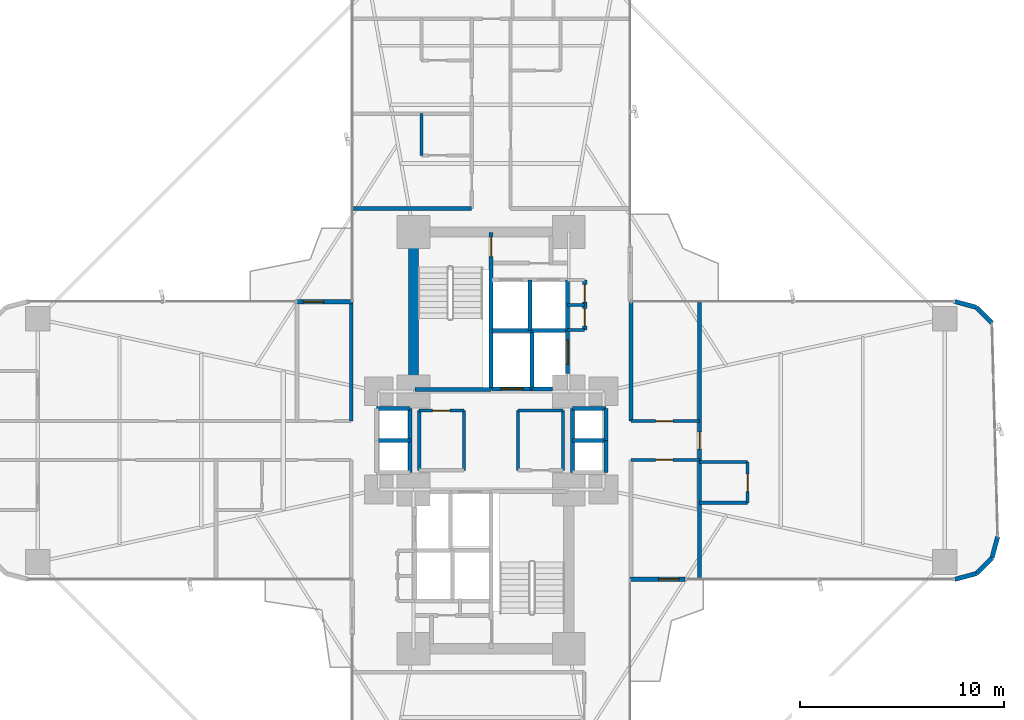
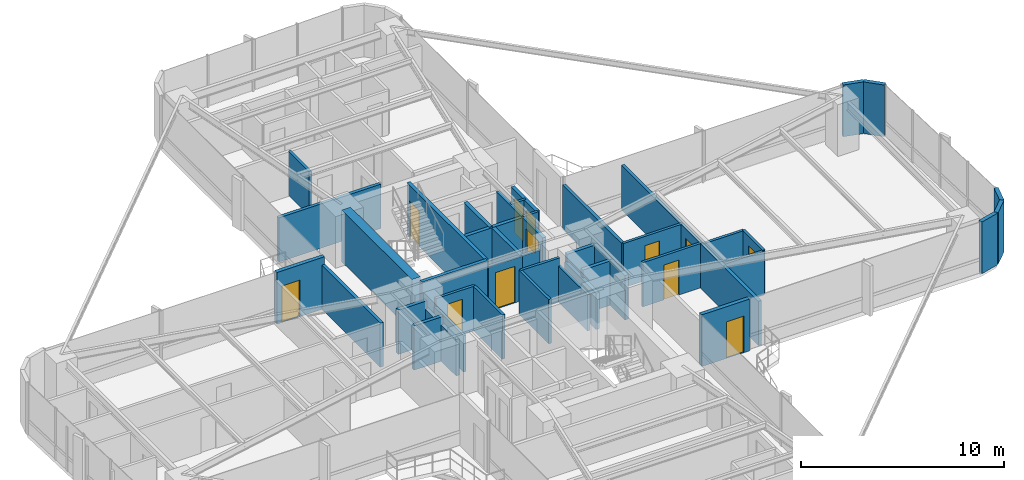
# One storey, part 23 of 26: 44 walls, 12 doors, 12 openings.
"""IFC4 building model written with IfcOpenShell, lengths in metres."""

from ifc_helpers import new_model, si_unit, direction, frame, frame_2d, origin, origin_2d, place, context, subcontext, project, spatial, rectangle, extrude, source, transform, mapped, material, layer, layer_set, type_object, element, fill, save


model = new_model("IFC4")

# Units and contexts
model_context = context("Model", 3, precision=1e-05, world=origin(), true_north=direction((0.0, 1.0)))
body_context = subcontext(model_context, "Body", "Model", "MODEL_VIEW")
ifc_project = project(units=[si_unit("LENGTHUNIT", "METRE"), si_unit("AREAUNIT", "SQUARE_METRE"), si_unit("VOLUMEUNIT", "CUBIC_METRE"), si_unit("PLANEANGLEUNIT", "RADIAN"), si_unit("MASSUNIT", "GRAM", prefix="KILO")], contexts=[model_context])

# Site, building, storey
site_placement = place(None, origin())
site = spatial("IfcSite", under=ifc_project, at=site_placement, CompositionType="ELEMENT")
building_placement = place(site_placement, origin())
building = spatial("IfcBuilding", under=site, at=building_placement, Name="Sahyath Konkavel Grand Hotel", CompositionType="ELEMENT")
storey_placement = place(building_placement, frame((0.0, 0.0, 29.800048828125)))
storey = spatial("IfcBuildingStorey", under=building, at=storey_placement, Name="L07", CompositionType="ELEMENT", Elevation=29.800048828125)

# Wall
ifc_material_1 = material(Name="Concrete C70/85", Category="concrete")
ifc_layer_1 = layer(ifc_material_1, 0.5)
ifc_layer_set_1 = layer_set([ifc_layer_1], Name="Concrete C70/85")
wall_type_1 = type_object("IfcWallType", Name="CWALL-500", PredefinedType="SHEAR", material=ifc_layer_set_1)
wall_1_placement = place(storey_placement, frame((-3.800048828125, 2.85009765625, 0.0), z_axis=(0.0, 0.0, 1.0), x_axis=(0.0, 1.0, 0.0)))
element("IfcWall", 1, at=wall_1_placement, inside=storey, type_object=wall_type_1, Name="L07 North Core Shear Wall W", PredefinedType="SHEAR", context=body_context, shape_type="SweptSolid", body=[
    extrude(rectangle(XDim=6.89990234375, YDim=0.5, at=frame_2d((3.449951171875, 0.0))), origin(), (0.0, 0.0, 1.0), 3.10986328125),
])

# Wall, opening, door
ifc_material_2 = material(Name="Warm Buff Sandstone Insulated Concrete C40/50", Category="masonry")
ifc_layer_2 = layer(ifc_material_2, 0.219970703125)
ifc_layer_set_2 = layer_set([ifc_layer_2], Name="Warm Buff Sandstone Insulated Concrete C40/50")
wall_type_2 = type_object("IfcWallType", Name="WLL-BALC-THRESH", PredefinedType="STANDARD", material=ifc_layer_set_2)
wall_2_placement = place(storey_placement, frame((6.800048828125, -6.800048828125, 0.0), z_axis=(0.0, 0.0, 1.0), x_axis=(1.0, 0.0, 0.0)))
wall_2 = element("IfcWall", 2, at=wall_2_placement, inside=storey, type_object=wall_type_2, Name="L07 Winter-Garden Threshold Wall 0", PredefinedType="STANDARD", context=body_context, shape_type="SweptSolid", body=[
    extrude(rectangle(XDim=2.699951171875, YDim=0.219970703125, at=frame_2d((1.35009765625, 0.0))), origin(), (0.0, 0.0, 1.0), 3.10986328125),
])
opening_1_placement = place(wall_2_placement, frame((1.39990234375, 0.0, 0.0)))
opening_1 = element("IfcOpeningElement", 3, at=opening_1_placement, cuts=wall_2, Name="Opening D-TR1", PredefinedType="OPENING", context=body_context, shape_type="SweptSolid", body=[
    extrude(rectangle(XDim=1.0, YDim=2.199951171875, at=frame_2d((0.5, 1.10009765625))), frame((0.0, 0.1201171875, 0.0), z_axis=(0.0, -1.0, 0.0), x_axis=(1.0, 0.0, 0.0)), (0.0, 0.0, 1.0), 0.239990234375),
])
ifc_material_3 = material(Name="Anodised Bronze Aluminium & Low-E Glazing", Category="aluminium")
door_type_1 = type_object("IfcDoorType", Name="DR-TERRACE-1000", OperationType="NOTDEFINED", PredefinedType="DOOR", material=ifc_material_3)
shared_shape_1 = source(origin(), body_context, "Body", "SweptSolid", [
    extrude(rectangle(XDim=1.0, YDim=0.050048828125, at=origin_2d()), origin(), (0.0, 0.0, 1.0), 2.199951171875),
])
door_1_placement = place(opening_1_placement, frame((0.5, 0.0, 0.0)))
door_1 = element("IfcDoor", 4, at=door_1_placement, inside=storey, type_object=door_type_1, Name="L07 Winter-Garden Terrace Door 0", OperationType="SINGLE_SWING_LEFT", OverallHeight=2.199951171875, OverallWidth=1.0, PredefinedType="DOOR", context=body_context, shape_type="MappedRepresentation", body=[
    mapped(shared_shape_1, transform((0.0, 0.0, 0.0), scale=1.0)),
])
fill(opening_1, door_1)

# Walls
for number, where, z_axis, x_axis, name in (
    (5, (22.699951171875, -6.800048828125, 0.0), (0.0, 0.0, 1.0), (0.965951058412, 0.25872485917, 0.0), "L07 Rounded Corner Sandstone Pier 1"),
    (6, (23.75, -6.518798828125, 0.0), (0.0, 0.0, 1.0), (0.707106781187, 0.707106781187, 0.0), "L07 Rounded Corner Sandstone Pier 2"),
    (7, (24.518798828125, -5.75, 0.0), (0.0, 0.0, 1.0), (0.25872485917, 0.965951058412, 0.0), "L07 Rounded Corner Sandstone Pier 3"),
    (8, (24.518798828125, 5.75, 0.0), (0.0, 0.0, 1.0), (-0.707106781187, 0.707106781187, 0.0), "L07 Rounded Corner Sandstone Pier 5"),
    (9, (23.75, 6.518798828125, 0.0), (0.0, 0.0, 1.0), (-0.965951058412, 0.25872485917, 0.0), "L07 Rounded Corner Sandstone Pier 6"),
):
    element("IfcWall", number, at=place(storey_placement, frame(where, z_axis=z_axis, x_axis=x_axis)), inside=storey, type_object=wall_type_2, Name=name, PredefinedType="STANDARD", context=body_context, shape_type="SweptSolid", body=[
        extrude(rectangle(XDim=1.087158203125, YDim=0.219970703125, at=frame_2d((0.54345703125, 0.0))), origin(), (0.0, 0.0, 1.0), 3.10986328125),
    ])

# Wall, opening, door
wall_3_placement = place(storey_placement, frame((-6.800048828125, 6.800048828125, 0.0), z_axis=(0.0, 0.0, 1.0), x_axis=(-1.0, 0.0, 0.0)))
wall_3 = element("IfcWall", 10, at=wall_3_placement, inside=storey, type_object=wall_type_2, Name="L07 Winter-Garden Threshold Wall 16", PredefinedType="STANDARD", context=body_context, shape_type="SweptSolid", body=[
    extrude(rectangle(XDim=2.699951171875, YDim=0.219970703125, at=frame_2d((1.35009765625, 0.0))), origin(), (0.0, 0.0, 1.0), 3.10986328125),
])
opening_2_placement = place(wall_3_placement, frame((1.39990234375, 0.0, 0.0)))
opening_2 = element("IfcOpeningElement", 11, at=opening_2_placement, cuts=wall_3, Name="Opening D-TR1", PredefinedType="OPENING", context=body_context, shape_type="SweptSolid", body=[
    extrude(rectangle(XDim=1.0, YDim=2.199951171875, at=frame_2d((0.5, 1.10009765625))), frame((0.0, 0.1201171875, 0.0), z_axis=(0.0, -1.0, 0.0), x_axis=(1.0, 0.0, 0.0)), (0.0, 0.0, 1.0), 0.239990234375),
])
door_2_placement = place(opening_2_placement, frame((0.5, 0.0, 0.0)))
door_2 = element("IfcDoor", 12, at=door_2_placement, inside=storey, type_object=door_type_1, Name="L07 Winter-Garden Terrace Door 16", OperationType="SINGLE_SWING_LEFT", OverallHeight=2.199951171875, OverallWidth=1.0, PredefinedType="DOOR", context=body_context, shape_type="MappedRepresentation", body=[
    mapped(shared_shape_1, transform((0.0, 0.0, 0.0), scale=1.0)),
])
fill(opening_2, door_2)

ifc_material_4 = material(Name="Concrete C40/50", Category="concrete")
ifc_layer_3 = layer(ifc_material_4, 0.199951171875)
ifc_layer_set_3 = layer_set([ifc_layer_3], Name="Concrete C40/50")
wall_type_3 = type_object("IfcWallType", Name="WLL-CORE-200", PredefinedType="SOLIDWALL", material=ifc_layer_set_3)
wall_4_placement = place(storey_placement, frame((0.0, 2.5, 0.0), z_axis=(0.0, 0.0, 1.0), x_axis=(0.0, 1.0, 0.0)))
wall_4 = element("IfcWall", 13, at=wall_4_placement, inside=storey, type_object=wall_type_3, Name="L07 Stair ST-1 Shaft Wall E", PredefinedType="SOLIDWALL", context=body_context, shape_type="SweptSolid", body=[
    extrude(rectangle(XDim=7.679931640625, YDim=0.199951171875, at=frame_2d((3.83984375, 0.0))), origin(), (0.0, 0.0, 1.0), 3.10986328125),
])
opening_3_placement = place(wall_4_placement, frame((6.5, 0.0, 0.0)))
opening_3 = element("IfcOpeningElement", 14, at=opening_3_placement, cuts=wall_4, Name="Opening D-F12C", PredefinedType="OPENING", context=body_context, shape_type="SweptSolid", body=[
    extrude(rectangle(XDim=0.949951171875, YDim=2.14990234375, at=frame_2d((0.47509765625, 1.074951171875))), frame((0.0, 0.10986328125, 0.0), z_axis=(0.0, -1.0, 0.0), x_axis=(1.0, 0.0, 0.0)), (0.0, 0.0, 1.0), 0.219970703125),
])
ifc_material_5 = material(Name="Steel E350 Plant Fire Door", Category="steel")
door_type_2 = type_object("IfcDoorType", Name="DR-FD120-950", OperationType="NOTDEFINED", PredefinedType="DOOR", material=ifc_material_5)
shared_shape_2 = source(origin(), body_context, "Body", "SweptSolid", [
    extrude(rectangle(XDim=0.949951171875, YDim=0.050048828125, at=origin_2d()), origin(), (0.0, 0.0, 1.0), 2.14990234375),
])
door_3_placement = place(opening_3_placement, frame((0.47509765625, 0.0, 0.0)))
door_3 = element("IfcDoor", 15, at=door_3_placement, inside=storey, type_object=door_type_2, Name="L07 Stair ST-1 Fire Door", OperationType="SINGLE_SWING_LEFT", OverallHeight=2.14990234375, OverallWidth=0.949951171875, PredefinedType="DOOR", context=body_context, shape_type="MappedRepresentation", body=[
    mapped(shared_shape_2, transform((0.0, 0.0, 0.0), scale=1.0)),
])
fill(opening_3, door_3)

# Walls
wall_5_placement = place(storey_placement, frame((-3.719970703125, 2.5, 0.0), z_axis=(0.0, 0.0, 1.0), x_axis=(1.0, 0.0, 0.0)))
element("IfcWall", 16, at=wall_5_placement, inside=storey, type_object=wall_type_3, Name="L07 Stair ST-1 Shaft Wall S", PredefinedType="SOLIDWALL", context=body_context, shape_type="SweptSolid", body=[
    extrude(rectangle(XDim=3.719970703125, YDim=0.199951171875, at=frame_2d((1.85986328125, 0.0))), origin(), (0.0, 0.0, 1.0), 3.10986328125),
])
wall_6_placement = place(storey_placement, frame((2.0, 2.5, 0.0), z_axis=(0.0, 0.0, 1.0), x_axis=(0.0, 1.0, 0.0)))
element("IfcWall", 17, at=wall_6_placement, inside=storey, type_object=wall_type_3, Name="L07 Partition SH-FFL1-E", PredefinedType="SOLIDWALL", context=body_context, shape_type="SweptSolid", body=[
    extrude(rectangle(XDim=2.780029296875, YDim=0.199951171875, at=frame_2d((1.39013671875, 0.0))), origin(), (0.0, 0.0, 1.0), 2.659912109375),
])

# Wall, opening, door
wall_7_placement = place(storey_placement, frame((0.050048828125, 2.52001953125, 0.0), z_axis=(0.0, 0.0, 1.0), x_axis=(1.0, 0.0, 0.0)))
wall_7 = element("IfcWall", 18, at=wall_7_placement, inside=storey, type_object=wall_type_3, Name="L07 Partition SH-FFL1-S", PredefinedType="SOLIDWALL", context=body_context, shape_type="SweptSolid", body=[
    extrude(rectangle(XDim=1.949951171875, YDim=0.199951171875, at=frame_2d((0.97509765625, 0.0))), origin(), (0.0, 0.0, 1.0), 2.659912109375),
])
opening_4_placement = place(wall_7_placement, frame((0.419921875, 0.0, 0.0)))
opening_4 = element("IfcOpeningElement", 19, at=opening_4_placement, cuts=wall_7, Name="Opening LD-11", PredefinedType="OPENING", context=body_context, shape_type="SweptSolid", body=[
    extrude(rectangle(XDim=1.10009765625, YDim=2.199951171875, at=frame_2d((0.550048828125, 1.10009765625))), frame((0.0, 0.10986328125, 0.0), z_axis=(0.0, -1.0, 0.0), x_axis=(1.0, 0.0, 0.0)), (0.0, 0.0, 1.0), 0.219970703125),
])
ifc_material_6 = material(Name="Bronze Lift Landing Door 1100")
door_type_3 = type_object("IfcDoorType", Name="DR-LIFT-1100", OperationType="DOUBLE_DOOR_SLIDING", PredefinedType="DOOR", material=ifc_material_6)
shared_shape_3 = source(origin(), body_context, "Body", "SweptSolid", [
    extrude(rectangle(XDim=1.10009765625, YDim=0.050048828125, at=origin_2d()), origin(), (0.0, 0.0, 1.0), 2.199951171875),
])
door_4_placement = place(opening_4_placement, frame((0.550048828125, 0.0, 0.0)))
door_4 = element("IfcDoor", 20, at=door_4_placement, inside=storey, type_object=door_type_3, Name="L07 Lift FFL-1 Landing Door", OperationType="DOUBLE_DOOR_SLIDING", OverallHeight=2.199951171875, OverallWidth=1.10009765625, PredefinedType="DOOR", context=body_context, shape_type="MappedRepresentation", body=[
    mapped(shared_shape_3, transform((0.0, 0.0, 0.0), scale=1.0)),
])
fill(opening_4, door_4)

# Wall
wall_8_placement = place(storey_placement, frame((2.0, 2.52001953125, 0.0), z_axis=(0.0, 0.0, 1.0), x_axis=(1.0, 0.0, 0.0)))
element("IfcWall", 21, at=wall_8_placement, inside=storey, type_object=wall_type_3, Name="L07 Partition SH-SVL1-S", PredefinedType="SOLIDWALL", context=body_context, shape_type="SweptSolid", body=[
    extrude(rectangle(XDim=1.0, YDim=0.199951171875, at=frame_2d((0.5, 0.0))), origin(), (0.0, 0.0, 1.0), 2.659912109375),
])

# Wall, opening, door
wall_9_placement = place(storey_placement, frame((3.739990234375, 3.280029296875, 0.0), z_axis=(0.0, 0.0, 1.0), x_axis=(0.0, 1.0, 0.0)))
wall_9 = element("IfcWall", 22, at=wall_9_placement, inside=storey, type_object=wall_type_3, Name="L07 Partition SH-SVL1-E", PredefinedType="SOLIDWALL", context=body_context, shape_type="SweptSolid", body=[
    extrude(rectangle(XDim=2.080078125, YDim=0.199951171875, at=frame_2d((1.0400390625, 0.0))), origin(), (0.0, 0.0, 1.0), 2.659912109375),
])
opening_5_placement = place(wall_9_placement, frame((0.43994140625, 0.0, 0.0)))
opening_5 = element("IfcOpeningElement", 23, at=opening_5_placement, cuts=wall_9, Name="Opening LD-12", PredefinedType="OPENING", context=body_context, shape_type="SweptSolid", body=[
    extrude(rectangle(XDim=1.199951171875, YDim=2.199951171875, at=frame_2d((0.60009765625, 1.10009765625))), frame((0.0, 0.10986328125, 0.0), z_axis=(0.0, -1.0, 0.0), x_axis=(1.0, 0.0, 0.0)), (0.0, 0.0, 1.0), 0.219970703125),
])
ifc_material_7 = material(Name="Stainless Steel Lift Landing Door 1200", Category="steel")
door_type_4 = type_object("IfcDoorType", Name="DR-LIFT-1200", OperationType="DOUBLE_DOOR_SLIDING", PredefinedType="DOOR", material=ifc_material_7)
shared_shape_4 = source(origin(), body_context, "Body", "SweptSolid", [
    extrude(rectangle(XDim=1.199951171875, YDim=0.050048828125, at=origin_2d()), origin(), (0.0, 0.0, 1.0), 2.199951171875),
])
door_5_placement = place(opening_5_placement, frame((0.60009765625, 0.0, 0.0)))
door_5 = element("IfcDoor", 24, at=door_5_placement, inside=storey, type_object=door_type_4, Name="L07 Service Lift SVL-1 Landing Door", OperationType="DOUBLE_DOOR_SLIDING", OverallHeight=2.199951171875, OverallWidth=1.199951171875, PredefinedType="DOOR", context=body_context, shape_type="MappedRepresentation", body=[
    mapped(shared_shape_4, transform((0.0, 0.0, 0.0), scale=1.0)),
])
fill(opening_5, door_5)

# Walls
wall_10_placement = place(storey_placement, frame((0.050048828125, 5.3798828125, 0.0), z_axis=(0.0, 0.0, 1.0), x_axis=(1.0, 0.0, 0.0)))
element("IfcWall", 25, at=wall_10_placement, inside=storey, type_object=wall_type_3, Name="L07 Partition SH-PL12-S", PredefinedType="SOLIDWALL", context=body_context, shape_type="SweptSolid", body=[
    extrude(rectangle(XDim=3.68994140625, YDim=0.199951171875, at=frame_2d((1.844970703125, 0.0))), origin(), (0.0, 0.0, 1.0), 2.659912109375),
])
for number, where, z_axis, x_axis, name in (
    (26, (1.89990234375, 5.3798828125, 0.0), (0.0, 0.0, 1.0), (0.0, 1.0, 0.0), "L07 Partition SH-PL12-M"),
    (27, (3.739990234375, 5.3798828125, 0.0), (0.0, 0.0, 1.0), (0.0, 1.0, 0.0), "L07 Partition SH-PL2-E"),
):
    element("IfcWall", number, at=place(storey_placement, frame(where, z_axis=z_axis, x_axis=x_axis)), inside=storey, type_object=wall_type_3, Name=name, PredefinedType="SOLIDWALL", context=body_context, shape_type="SweptSolid", body=[
        extrude(rectangle(XDim=2.480224609375, YDim=0.199951171875, at=frame_2d((1.240234375, 0.0))), origin(), (0.0, 0.0, 1.0), 2.659912109375),
    ])
wall_11_placement = place(storey_placement, frame((3.97998046875, -1.56005859375, 0.0), z_axis=(0.0, 0.0, 1.0), x_axis=(0.0, 1.0, 0.0)))
element("IfcWall", 28, at=wall_11_placement, inside=storey, type_object=wall_type_3, Name="L07 Partition SH-PL56-W", PredefinedType="SOLIDWALL", context=body_context, shape_type="SweptSolid", body=[
    extrude(rectangle(XDim=3.1201171875, YDim=0.199951171875, at=frame_2d((1.56005859375, 0.0))), origin(), (0.0, 0.0, 1.0), 2.179931640625),
])
for number, where, z_axis, x_axis, name in (
    (29, (3.97998046875, 1.56005859375, 0.0), (0.0, 0.0, 1.0), (1.0, 0.0, 0.0), "L07 Partition SH-PL56-N"),
    (30, (3.97998046875, 0.0, 0.0), (0.0, 0.0, 1.0), (1.0, 0.0, 0.0), "L07 Partition SH-PL56-M"),
):
    element("IfcWall", number, at=place(storey_placement, frame(where, z_axis=z_axis, x_axis=x_axis)), inside=storey, type_object=wall_type_3, Name=name, PredefinedType="SOLIDWALL", context=body_context, shape_type="SweptSolid", body=[
        extrude(rectangle(XDim=1.64013671875, YDim=0.199951171875, at=frame_2d((0.820068359375, 0.0))), origin(), (0.0, 0.0, 1.0), 2.659912109375),
    ])
for number, where, z_axis, x_axis, name in (
    (31, (5.6201171875, 0.0, 0.0), (0.0, 0.0, 1.0), (0.0, 1.0, 0.0), "L07 Partition SH-PL5-E"),
    (32, (5.6201171875, -1.56005859375, 0.0), (0.0, 0.0, 1.0), (0.0, 1.0, 0.0), "L07 Partition SH-PL6-E"),
):
    element("IfcWall", number, at=place(storey_placement, frame(where, z_axis=z_axis, x_axis=x_axis)), inside=storey, type_object=wall_type_3, Name=name, PredefinedType="SOLIDWALL", context=body_context, shape_type="SweptSolid", body=[
        extrude(rectangle(XDim=1.56005859375, YDim=0.199951171875, at=frame_2d((0.780029296875, 0.0))), origin(), (0.0, 0.0, 1.0), 2.659912109375),
    ])
wall_12_placement = place(storey_placement, frame((-3.97998046875, -1.56005859375, 0.0), z_axis=(0.0, 0.0, 1.0), x_axis=(0.0, 1.0, 0.0)))
element("IfcWall", 33, at=wall_12_placement, inside=storey, type_object=wall_type_3, Name="L07 Partition SH-SL12-E", PredefinedType="SOLIDWALL", context=body_context, shape_type="SweptSolid", body=[
    extrude(rectangle(XDim=3.1201171875, YDim=0.199951171875, at=frame_2d((1.56005859375, 0.0))), origin(), (0.0, 0.0, 1.0), 2.179931640625),
])
for number, where, z_axis, x_axis, name in (
    (34, (-5.6201171875, 1.56005859375, 0.0), (0.0, 0.0, 1.0), (1.0, 0.0, 0.0), "L07 Partition SH-SL12-N"),
    (35, (-5.6201171875, 0.0, 0.0), (0.0, 0.0, 1.0), (1.0, 0.0, 0.0), "L07 Partition SH-SL12-M"),
):
    element("IfcWall", number, at=place(storey_placement, frame(where, z_axis=z_axis, x_axis=x_axis)), inside=storey, type_object=wall_type_3, Name=name, PredefinedType="SOLIDWALL", context=body_context, shape_type="SweptSolid", body=[
        extrude(rectangle(XDim=1.64013671875, YDim=0.199951171875, at=frame_2d((0.820068359375, 0.0))), origin(), (0.0, 0.0, 1.0), 2.659912109375),
    ])

# Wall, openings, doors
wall_13_placement = place(storey_placement, frame((4.580078125, 5.39990234375, 0.0), z_axis=(0.0, 0.0, 1.0), x_axis=(0.0, 1.0, 0.0)))
wall_13 = element("IfcWall", 36, at=wall_13_placement, inside=storey, type_object=wall_type_3, Name="L07 Partition NC-FLK-E", PredefinedType="SOLIDWALL", context=body_context, shape_type="SweptSolid", body=[
    extrude(rectangle(XDim=2.460205078125, YDim=0.199951171875, at=frame_2d((1.22998046875, 0.0))), origin(), (0.0, 0.0, 1.0), 2.659912109375),
])
opening_6_placement = place(wall_13_placement, frame((0.199951171875, 0.0, 0.0)))
opening_6 = element("IfcOpeningElement", 37, at=opening_6_placement, cuts=wall_13, Name="Opening D-F06D", PredefinedType="OPENING", context=body_context, shape_type="SweptSolid", body=[
    extrude(rectangle(XDim=0.85009765625, YDim=2.10009765625, at=frame_2d((0.425048828125, 1.050048828125))), frame((0.0, 0.10986328125, 0.0), z_axis=(0.0, -1.0, 0.0), x_axis=(1.0, 0.0, 0.0)), (0.0, 0.0, 1.0), 0.219970703125),
])
opening_7_placement = place(wall_13_placement, frame((1.3798828125, 0.0, 0.0)))
opening_7 = element("IfcOpeningElement", 38, at=opening_7_placement, cuts=wall_13, Name="Opening D-F06D", PredefinedType="OPENING", context=body_context, shape_type="SweptSolid", body=[
    extrude(rectangle(XDim=0.85009765625, YDim=2.10009765625, at=frame_2d((0.425048828125, 1.050048828125))), frame((0.0, 0.10986328125, 0.0), z_axis=(0.0, -1.0, 0.0), x_axis=(1.0, 0.0, 0.0)), (0.0, 0.0, 1.0), 0.219970703125),
])
ifc_material_8 = material(Name="Fire-Rated Shaft Access Door")
door_type_5 = type_object("IfcDoorType", Name="DR-FD60-850", OperationType="NOTDEFINED", PredefinedType="DOOR", material=ifc_material_8)
shared_shape_5 = source(origin(), body_context, "Body", "SweptSolid", [
    extrude(rectangle(XDim=0.85009765625, YDim=0.050048828125, at=origin_2d()), origin(), (0.0, 0.0, 1.0), 2.10009765625),
])
door_6_placement = place(opening_6_placement, frame((0.425048828125, 0.0, 0.0)))
door_6 = element("IfcDoor", 39, at=door_6_placement, inside=storey, type_object=door_type_5, Name="L07 Door NC-FLK1-D", OperationType="SINGLE_SWING_RIGHT", OverallHeight=2.10009765625, OverallWidth=0.85009765625, PredefinedType="DOOR", context=body_context, shape_type="MappedRepresentation", body=[
    mapped(shared_shape_5, transform((0.0, 0.0, 0.0), scale=1.0)),
])
fill(opening_6, door_6)
door_7_placement = place(opening_7_placement, frame((0.425048828125, 0.0, 0.0)))
door_7 = element("IfcDoor", 40, at=door_7_placement, inside=storey, type_object=door_type_5, Name="L07 Door NC-FLK2-D", OperationType="SINGLE_SWING_LEFT", OverallHeight=2.10009765625, OverallWidth=0.85009765625, PredefinedType="DOOR", context=body_context, shape_type="MappedRepresentation", body=[
    mapped(shared_shape_5, transform((0.0, 0.0, 0.0), scale=1.0)),
])
fill(opening_7, door_7)

# Wall
ifc_material_9 = material(Name="Twin-Stud Acoustic Gypsum Plasterboard Partition")
ifc_layer_4 = layer(ifc_material_9, 0.179931640625)
ifc_layer_set_4 = layer_set([ifc_layer_4], Name="Twin-Stud Acoustic Gypsum Plasterboard Partition")
wall_type_4 = type_object("IfcWallType", Name="WLL-DEMISE-180", PredefinedType="PARTITIONING", material=ifc_layer_set_4)
wall_14_placement = place(storey_placement, frame((6.85009765625, 0.949951171875, 0.0), z_axis=(0.0, 0.0, 1.0), x_axis=(0.0, 1.0, 0.0)))
element("IfcWall", 41, at=wall_14_placement, inside=storey, type_object=wall_type_4, Name="L07 Partition E-INL", PredefinedType="PARTITIONING", context=body_context, shape_type="SweptSolid", body=[
    extrude(rectangle(XDim=5.800048828125, YDim=0.179931640625, at=frame_2d((2.89990234375, 0.0))), origin(), (0.0, 0.0, 1.0), 2.659912109375),
])

# Wall, opening, door
wall_15_placement = place(storey_placement, frame((10.199951171875, -6.75, 0.0), z_axis=(0.0, 0.0, 1.0), x_axis=(0.0, 1.0, 0.0)))
wall_15 = element("IfcWall", 42, at=wall_15_placement, inside=storey, type_object=wall_type_4, Name="L07 Partition E-ETIP-END", PredefinedType="PARTITIONING", context=body_context, shape_type="SweptSolid", body=[
    extrude(rectangle(XDim=13.5, YDim=0.179931640625, at=frame_2d((6.75, 0.0))), origin(), (0.0, 0.0, 1.0), 2.659912109375),
])
opening_8_placement = place(wall_15_placement, frame((6.324951171875, 0.0, 0.0)))
opening_8 = element("IfcOpeningElement", 43, at=opening_8_placement, cuts=wall_15, Name="Opening D-F06D", PredefinedType="OPENING", context=body_context, shape_type="SweptSolid", body=[
    extrude(rectangle(XDim=0.85009765625, YDim=2.10009765625, at=frame_2d((0.425048828125, 1.050048828125))), frame((0.0, 0.10009765625, 0.0), z_axis=(0.0, -1.0, 0.0), x_axis=(1.0, 0.0, 0.0)), (0.0, 0.0, 1.0), 0.199951171875),
])
door_8_placement = place(opening_8_placement, frame((0.425048828125, 0.0, 0.0)))
door_8 = element("IfcDoor", 44, at=door_8_placement, inside=storey, type_object=door_type_5, Name="L07 Door E-ETIP-ED", OperationType="SINGLE_SWING_LEFT", OverallHeight=2.10009765625, OverallWidth=0.85009765625, PredefinedType="DOOR", context=body_context, shape_type="MappedRepresentation", body=[
    mapped(shared_shape_5, transform((0.0, 0.0, 0.0), scale=1.0)),
])
fill(opening_8, door_8)

# Walls
for number, where, z_axis, x_axis, name in (
    (45, (-0.949951171875, 11.35009765625, 0.0), (0.0, 0.0, 1.0), (-1.0, 0.0, 0.0), "L07 Partition N-INL"),
    (46, (-6.85009765625, 6.75, 0.0), (0.0, 0.0, 1.0), (0.0, -1.0, 0.0), "L07 Partition W-INR"),
):
    element("IfcWall", number, at=place(storey_placement, frame(where, z_axis=z_axis, x_axis=x_axis)), inside=storey, type_object=wall_type_4, Name=name, PredefinedType="PARTITIONING", context=body_context, shape_type="SweptSolid", body=[
        extrude(rectangle(XDim=5.800048828125, YDim=0.179931640625, at=frame_2d((2.89990234375, 0.0))), origin(), (0.0, 0.0, 1.0), 2.659912109375),
    ])
ifc_material_10 = material(Name="Fire-Rated Gypsum Plasterboard Partition")
ifc_layer_5 = layer(ifc_material_10, 0.14990234375)
ifc_layer_set_5 = layer_set([ifc_layer_5], Name="Fire-Rated Gypsum Plasterboard Partition")
wall_type_5 = type_object("IfcWallType", Name="WLL-PART-150", PredefinedType="PARTITIONING", material=ifc_layer_set_5)
for number, where, z_axis, x_axis, name in (
    (47, (3.739990234375, 5.39990234375, 0.0), (0.0, 0.0, 1.0), (1.0, 0.0, 0.0), "L07 Partition NC-FLK-S"),
    (48, (3.739990234375, 6.6298828125, 0.0), (0.0, 0.0, 1.0), (1.0, 0.0, 0.0), "L07 Partition NC-FLK-M"),
):
    element("IfcWall", number, at=place(storey_placement, frame(where, z_axis=z_axis, x_axis=x_axis)), inside=storey, type_object=wall_type_5, Name=name, PredefinedType="PARTITIONING", context=body_context, shape_type="SweptSolid", body=[
        extrude(rectangle(XDim=0.840087890625, YDim=0.14990234375, at=frame_2d((0.419921875, 0.0))), origin(), (0.0, 0.0, 1.0), 2.659912109375),
    ])
wall_16_placement = place(storey_placement, frame((-1.320068359375, -1.4599609375, 0.0), z_axis=(0.0, 0.0, 1.0), x_axis=(0.0, 1.0, 0.0)))
element("IfcWall", 49, at=wall_16_placement, inside=storey, type_object=wall_type_5, Name="L07 Partition CC-1WI", PredefinedType="PARTITIONING", context=body_context, shape_type="SweptSolid", body=[
    extrude(rectangle(XDim=2.919921875, YDim=0.14990234375, at=frame_2d((1.4599609375, 0.0))), origin(), (0.0, 0.0, 1.0), 2.659912109375),
])
wall_17_placement = place(storey_placement, frame((-3.52001953125, -1.4599609375, 0.0), z_axis=(0.0, 0.0, 1.0), x_axis=(0.0, 1.0, 0.0)))
element("IfcWall", 50, at=wall_17_placement, inside=storey, type_object=wall_type_5, Name="L07 Partition CC-1WO", PredefinedType="PARTITIONING", context=body_context, shape_type="SweptSolid", body=[
    extrude(rectangle(XDim=2.919921875, YDim=0.14990234375, at=frame_2d((1.4599609375, 0.0))), origin(), (0.0, 0.0, 1.0), 2.179931640625),
])

# Wall, opening, door
wall_18_placement = place(storey_placement, frame((-3.52001953125, 1.4599609375, 0.0), z_axis=(0.0, 0.0, 1.0), x_axis=(1.0, 0.0, 0.0)))
wall_18 = element("IfcWall", 51, at=wall_18_placement, inside=storey, type_object=wall_type_5, Name="L07 Partition CC-1WN", PredefinedType="PARTITIONING", context=body_context, shape_type="SweptSolid", body=[
    extrude(rectangle(XDim=2.199951171875, YDim=0.14990234375, at=frame_2d((1.10009765625, 0.0))), origin(), (0.0, 0.0, 1.0), 2.659912109375),
])
opening_9_placement = place(wall_18_placement, frame((0.64990234375, 0.0, 0.0)))
opening_9 = element("IfcOpeningElement", 52, at=opening_9_placement, cuts=wall_18, Name="Opening D-F06D", PredefinedType="OPENING", context=body_context, shape_type="SweptSolid", body=[
    extrude(rectangle(XDim=0.85009765625, YDim=2.10009765625, at=frame_2d((0.425048828125, 1.050048828125))), frame((0.0, 0.0849609375, 0.0), z_axis=(0.0, -1.0, 0.0), x_axis=(1.0, 0.0, 0.0)), (0.0, 0.0, 1.0), 0.169921875),
])
door_9_placement = place(opening_9_placement, frame((0.425048828125, 0.0, 0.0)))
door_9 = element("IfcDoor", 53, at=door_9_placement, inside=storey, type_object=door_type_5, Name="L07 Door CC-D1W", OperationType="SINGLE_SWING_RIGHT", OverallHeight=2.10009765625, OverallWidth=0.85009765625, PredefinedType="DOOR", context=body_context, shape_type="MappedRepresentation", body=[
    mapped(shared_shape_5, transform((0.0, 0.0, 0.0), scale=1.0)),
])
fill(opening_9, door_9)

# Walls
wall_19_placement = place(storey_placement, frame((1.320068359375, -1.4599609375, 0.0), z_axis=(0.0, 0.0, 1.0), x_axis=(0.0, 1.0, 0.0)))
element("IfcWall", 54, at=wall_19_placement, inside=storey, type_object=wall_type_5, Name="L07 Partition CC-1EI", PredefinedType="PARTITIONING", context=body_context, shape_type="SweptSolid", body=[
    extrude(rectangle(XDim=2.919921875, YDim=0.14990234375, at=frame_2d((1.4599609375, 0.0))), origin(), (0.0, 0.0, 1.0), 2.659912109375),
])
wall_20_placement = place(storey_placement, frame((3.52001953125, -1.4599609375, 0.0), z_axis=(0.0, 0.0, 1.0), x_axis=(0.0, 1.0, 0.0)))
element("IfcWall", 55, at=wall_20_placement, inside=storey, type_object=wall_type_5, Name="L07 Partition CC-1EO", PredefinedType="PARTITIONING", context=body_context, shape_type="SweptSolid", body=[
    extrude(rectangle(XDim=2.919921875, YDim=0.14990234375, at=frame_2d((1.4599609375, 0.0))), origin(), (0.0, 0.0, 1.0), 2.179931640625),
])
wall_21_placement = place(storey_placement, frame((1.320068359375, 1.4599609375, 0.0), z_axis=(0.0, 0.0, 1.0), x_axis=(1.0, 0.0, 0.0)))
element("IfcWall", 56, at=wall_21_placement, inside=storey, type_object=wall_type_5, Name="L07 Partition CC-1EN", PredefinedType="PARTITIONING", context=body_context, shape_type="SweptSolid", body=[
    extrude(rectangle(XDim=2.199951171875, YDim=0.14990234375, at=frame_2d((1.10009765625, 0.0))), origin(), (0.0, 0.0, 1.0), 2.659912109375),
])

# Wall, opening, door
wall_22_placement = place(storey_placement, frame((6.85009765625, 0.949951171875, 0.0), z_axis=(0.0, 0.0, 1.0), x_axis=(1.0, 0.0, 0.0)))
wall_22 = element("IfcWall", 57, at=wall_22_placement, inside=storey, type_object=wall_type_5, Name="L07 Partition E-CL", PredefinedType="PARTITIONING", context=body_context, shape_type="SweptSolid", body=[
    extrude(rectangle(XDim=3.349853515625, YDim=0.14990234375, at=frame_2d((1.6748046875, 0.0))), origin(), (0.0, 0.0, 1.0), 2.659912109375),
])
opening_10_placement = place(wall_22_placement, frame((1.199951171875, 0.0, 0.0)))
opening_10 = element("IfcOpeningElement", 58, at=opening_10_placement, cuts=wall_22, Name="Opening D-F06D", PredefinedType="OPENING", context=body_context, shape_type="SweptSolid", body=[
    extrude(rectangle(XDim=0.85009765625, YDim=2.10009765625, at=frame_2d((0.425048828125, 1.050048828125))), frame((0.0, 0.0849609375, 0.0), z_axis=(0.0, -1.0, 0.0), x_axis=(1.0, 0.0, 0.0)), (0.0, 0.0, 1.0), 0.169921875),
])
door_10_placement = place(opening_10_placement, frame((0.425048828125, 0.0, 0.0)))
door_10 = element("IfcDoor", 59, at=door_10_placement, inside=storey, type_object=door_type_5, Name="L07 Door E-ES3L-D", OperationType="SINGLE_SWING_RIGHT", OverallHeight=2.10009765625, OverallWidth=0.85009765625, PredefinedType="DOOR", context=body_context, shape_type="MappedRepresentation", body=[
    mapped(shared_shape_5, transform((0.0, 0.0, 0.0), scale=1.0)),
])
fill(opening_10, door_10)

wall_23_placement = place(storey_placement, frame((6.85009765625, -0.949951171875, 0.0), z_axis=(0.0, 0.0, 1.0), x_axis=(1.0, 0.0, 0.0)))
wall_23 = element("IfcWall", 60, at=wall_23_placement, inside=storey, type_object=wall_type_5, Name="L07 Partition E-CR", PredefinedType="PARTITIONING", context=body_context, shape_type="SweptSolid", body=[
    extrude(rectangle(XDim=3.349853515625, YDim=0.14990234375, at=frame_2d((1.6748046875, 0.0))), origin(), (0.0, 0.0, 1.0), 2.659912109375),
])
opening_11_placement = place(wall_23_placement, frame((1.199951171875, 0.0, 0.0)))
opening_11 = element("IfcOpeningElement", 61, at=opening_11_placement, cuts=wall_23, Name="Opening D-F06D", PredefinedType="OPENING", context=body_context, shape_type="SweptSolid", body=[
    extrude(rectangle(XDim=0.85009765625, YDim=2.10009765625, at=frame_2d((0.425048828125, 1.050048828125))), frame((0.0, 0.0849609375, 0.0), z_axis=(0.0, -1.0, 0.0), x_axis=(1.0, 0.0, 0.0)), (0.0, 0.0, 1.0), 0.169921875),
])
door_11_placement = place(opening_11_placement, frame((0.425048828125, 0.0, 0.0)))
door_11 = element("IfcDoor", 62, at=door_11_placement, inside=storey, type_object=door_type_5, Name="L07 Door E-EHK-D", OperationType="SINGLE_SWING_LEFT", OverallHeight=2.10009765625, OverallWidth=0.85009765625, PredefinedType="DOOR", context=body_context, shape_type="MappedRepresentation", body=[
    mapped(shared_shape_5, transform((0.0, 0.0, 0.0), scale=1.0)),
])
fill(opening_11, door_11)

# Walls
wall_24_placement = place(storey_placement, frame((10.199951171875, -1.050048828125, 0.0), z_axis=(0.0, 0.0, 1.0), x_axis=(1.0, 0.0, 0.0)))
element("IfcWall", 63, at=wall_24_placement, inside=storey, type_object=wall_type_5, Name="L07 Partition E-ETIP-BN", PredefinedType="PARTITIONING", context=body_context, shape_type="SweptSolid", body=[
    extrude(rectangle(XDim=2.35009765625, YDim=0.14990234375, at=frame_2d((1.175048828125, 0.0))), origin(), (0.0, 0.0, 1.0), 2.659912109375),
])
wall_25_placement = place(storey_placement, frame((10.199951171875, -3.050048828125, 0.0), z_axis=(0.0, 0.0, 1.0), x_axis=(1.0, 0.0, 0.0)))
element("IfcWall", 64, at=wall_25_placement, inside=storey, type_object=wall_type_5, Name="L07 Partition E-ETIP-BS", PredefinedType="PARTITIONING", context=body_context, shape_type="SweptSolid", body=[
    extrude(rectangle(XDim=2.35009765625, YDim=0.14990234375, at=frame_2d((1.175048828125, 0.0))), origin(), (0.0, 0.0, 1.0), 2.6298828125),
])

# Wall, opening, door
wall_26_placement = place(storey_placement, frame((12.550048828125, -3.050048828125, 0.0), z_axis=(0.0, 0.0, 1.0), x_axis=(0.0, 1.0, 0.0)))
wall_26 = element("IfcWall", 65, at=wall_26_placement, inside=storey, type_object=wall_type_5, Name="L07 Partition E-ETIP-BE", PredefinedType="PARTITIONING", context=body_context, shape_type="SweptSolid", body=[
    extrude(rectangle(XDim=2.0, YDim=0.14990234375, at=frame_2d((1.0, 0.0))), origin(), (0.0, 0.0, 1.0), 2.659912109375),
])
opening_12_placement = place(wall_26_placement, frame((0.550048828125, 0.0, 0.0)))
opening_12 = element("IfcOpeningElement", 66, at=opening_12_placement, cuts=wall_26, Name="Opening D-BT85", PredefinedType="OPENING", context=body_context, shape_type="SweptSolid", body=[
    extrude(rectangle(XDim=0.85009765625, YDim=2.10009765625, at=frame_2d((0.425048828125, 1.050048828125))), frame((0.0, 0.0849609375, 0.0), z_axis=(0.0, -1.0, 0.0), x_axis=(1.0, 0.0, 0.0)), (0.0, 0.0, 1.0), 0.169921875),
])
ifc_material_11 = material(Name="Moisture-Resistant Teak Bathroom Door")
door_type_6 = type_object("IfcDoorType", Name="DR-BATH-850", OperationType="NOTDEFINED", PredefinedType="DOOR", material=ifc_material_11)
door_12_placement = place(opening_12_placement, frame((0.425048828125, 0.0, 0.0)))
door_12 = element("IfcDoor", 67, at=door_12_placement, inside=storey, type_object=door_type_6, Name="L07 Door E-ETIP-BD", OperationType="SINGLE_SWING_RIGHT", OverallHeight=2.10009765625, OverallWidth=0.85009765625, PredefinedType="DOOR", context=body_context, shape_type="MappedRepresentation", body=[
    mapped(shared_shape_5, transform((0.0, 0.0, 0.0), scale=1.0)),
])
fill(opening_12, door_12)

# Wall
wall_27_placement = place(storey_placement, frame((-3.39990234375, 13.949951171875, 0.0), z_axis=(0.0, 0.0, 1.0), x_axis=(0.0, 1.0, 0.0)))
element("IfcWall", 68, at=wall_27_placement, inside=storey, type_object=wall_type_5, Name="L07 Partition N-N4L1-BF", PredefinedType="PARTITIONING", context=body_context, shape_type="SweptSolid", body=[
    extrude(rectangle(XDim=2.050048828125, YDim=0.14990234375, at=frame_2d((1.02490234375, 0.0))), origin(), (0.0, 0.0, 1.0), 2.659912109375),
])

save(model, "model.ifc")
